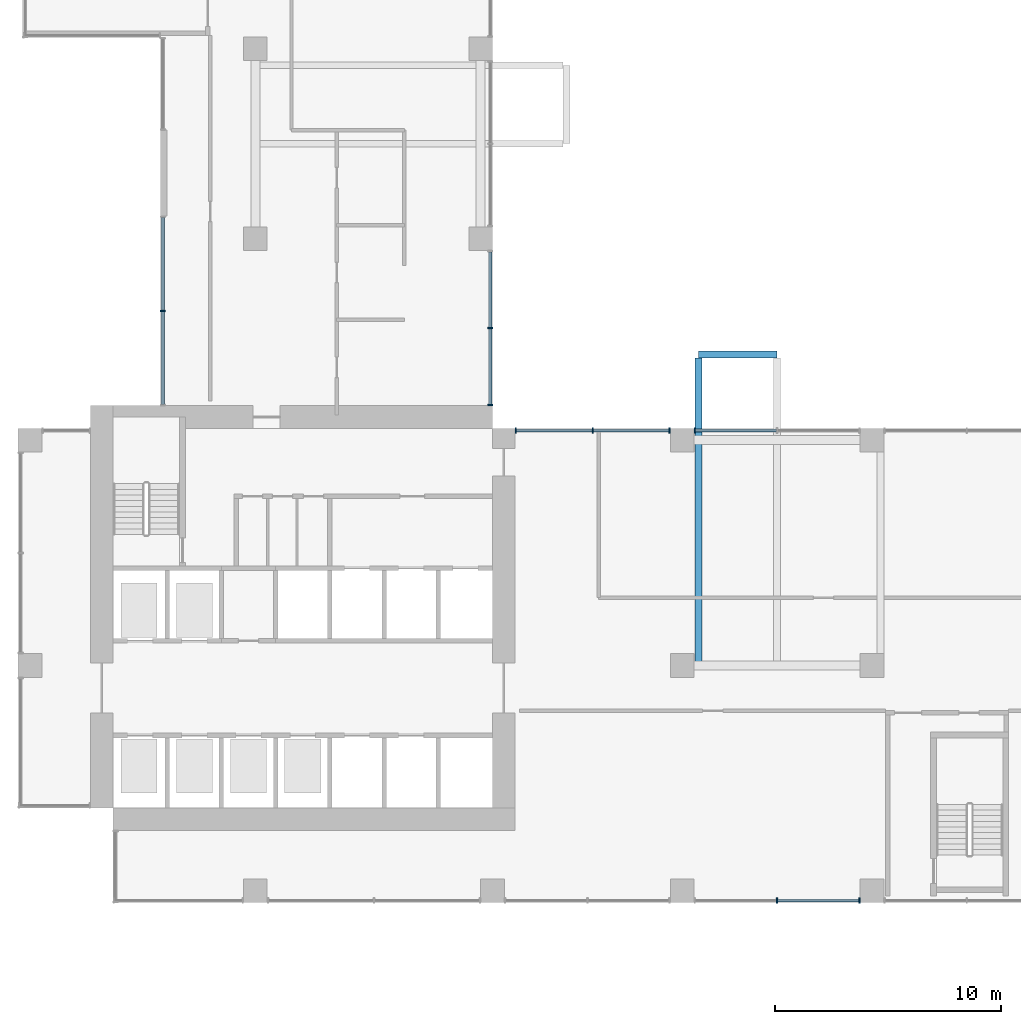
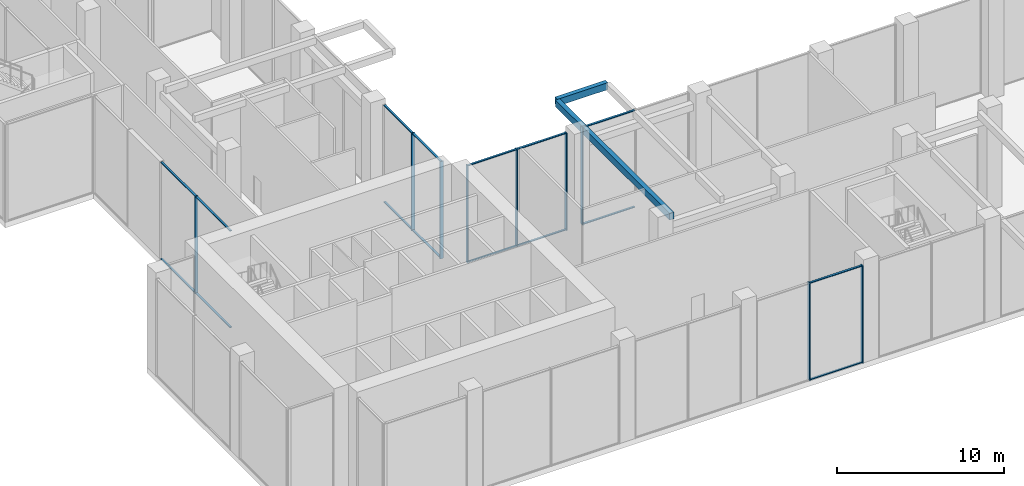
# One storey, part 3 of 18: 25 members, 2 beams, 5 elements without a shape of their own.
"""IFC4 building model written with IfcOpenShell, lengths in metres."""

from ifc_helpers import new_model, si_unit, direction, frame, origin, origin_2d, place, context, subcontext, project, spatial, rectangle, extrude, source, transform, mapped, material, layer, layer_set, material_profile, profile_set, type_object, element, aggregate, save


model = new_model("IFC4")

# Units and contexts
model_context = context("Model", 3, precision=1e-05, world=origin(), true_north=direction((0.0, 1.0)))
body_context = subcontext(model_context, "Body", "Model", "MODEL_VIEW")
ifc_project = project(units=[si_unit("LENGTHUNIT", "METRE"), si_unit("AREAUNIT", "SQUARE_METRE"), si_unit("VOLUMEUNIT", "CUBIC_METRE"), si_unit("PLANEANGLEUNIT", "RADIAN"), si_unit("MASSUNIT", "GRAM", prefix="KILO")], contexts=[model_context])

# Site, building, storey
site_placement = place(None, origin())
site = spatial("IfcSite", under=ifc_project, at=site_placement, CompositionType="ELEMENT")
building_placement = place(site_placement, origin())
building = spatial("IfcBuilding", under=site, at=building_placement, Name="Aurelian Terraces", CompositionType="ELEMENT")
storey_placement = place(building_placement, frame((0.0, 0.0, 170.3)))
storey = spatial("IfcBuildingStorey", under=building, at=storey_placement, Name="L37", CompositionType="ELEMENT", Elevation=170.3)

# Curtain wall, member
ifc_material_1 = material(Name="Anodised aluminium and clear glazing", Category="aluminium")
ifc_layer = layer(ifc_material_1, 0.2)
ifc_layer_set = layer_set([ifc_layer], Name="Lobby glazing curtain wall")
curtain_wall_type = type_object("IfcCurtainWallType", Name="Lobby glazing curtain wall", PredefinedType="NOTDEFINED", material=ifc_layer_set)
curtain_wall_1_placement = place(storey_placement, origin())
curtain_wall_1 = element("IfcCurtainWall", 1, at=curtain_wall_1_placement, inside=storey, type_object=curtain_wall_type, Name="Lobby glazing L37 F09.7", PredefinedType="NOTDEFINED")
ifc_material_2 = material(Name="Anodised aluminium", Category="aluminium")
ifc_material_profile_1 = material_profile(ifc_material_2, rectangle(XDim=0.14, YDim=0.06, at=origin_2d()))
ifc_profile_set_1 = profile_set([ifc_material_profile_1], Name="Anodised aluminium")
member_type_1 = type_object("IfcMemberType", Name="Lobby glazing transom", PredefinedType="USERDEFINED", material=ifc_profile_set_1)
member_1_placement = place(storey_placement, frame((28.815, 20.9, 0.03), z_axis=(-1.0, 0.0, 0.0), x_axis=(0.0, -1.0, 0.0)))
member_1 = element("IfcMember", 2, at=member_1_placement, type_object=member_type_1, Name="CW2 transom 1.1", ObjectType="TRANSOM", PredefinedType="USERDEFINED", context=body_context, shape_type="SweptSolid", body=[
    extrude(rectangle(XDim=0.14, YDim=0.06, at=origin_2d()), origin(), (0.0, 0.0, 1.0), 3.3475),
])

curtain_wall_2_placement = place(storey_placement, origin())
curtain_wall_2 = element("IfcCurtainWall", 3, at=curtain_wall_2_placement, inside=storey, type_object=curtain_wall_type, Name="Lobby glazing L37 F18.3", PredefinedType="NOTDEFINED")
member_2_placement = place(storey_placement, frame((6.4, 30.34, 0.03), z_axis=(0.0, -1.0, 0.0), x_axis=(1.0, 0.0, 0.0)))
member_2 = element("IfcMember", 4, at=member_2_placement, type_object=member_type_1, Name="CW2 transom 1.1", ObjectType="TRANSOM", PredefinedType="USERDEFINED", context=body_context, shape_type="SweptSolid", body=[
    extrude(rectangle(XDim=0.14, YDim=0.06, at=origin_2d()), origin(), (0.0, 0.0, 1.0), 4.11),
])

# Beams
ifc_material_3 = material(Name="Concrete fc' 40 MPa", Category="concrete")
ifc_material_profile_2 = material_profile(ifc_material_3, rectangle(XDim=0.3, YDim=0.5, at=origin_2d()))
ifc_profile_set_2 = profile_set([ifc_material_profile_2], Name="Concrete fc' 40 MPa")
beam_type = type_object("IfcBeamType", Name="CONCRETE CANTILEVER BEAM 300X500", PredefinedType="BEAM", material=ifc_profile_set_2)
shared_shape_1 = source(origin(), body_context, "Body", "SweptSolid", [
    extrude(rectangle(XDim=0.3, YDim=0.5, at=origin_2d()), origin(), (0.0, 0.0, 1.0), 13.625),
])
beam_1_placement = place(storey_placement, frame((30.125, 24.125, 6.85), z_axis=(0.0, -1.0, 0.0), x_axis=(1.0, 0.0, 0.0)))
element("IfcBeam", 5, at=beam_1_placement, inside=storey, type_object=beam_type, Name="Box cantilever beam J52.1", PredefinedType="BEAM", context=body_context, shape_type="MappedRepresentation", body=[
    mapped(shared_shape_1, transform((0.0, 0.0, 0.0), scale=1.0)),
])
shared_shape_2 = source(origin(), body_context, "Body", "SweptSolid", [
    extrude(rectangle(XDim=0.3, YDim=0.5, at=origin_2d()), origin(), (0.0, 0.0, 1.0), 3.475),
])
beam_2_placement = place(storey_placement, frame((30.125, 24.275, 6.85), z_axis=(1.0, 0.0, 0.0), x_axis=(0.0, 1.0, 0.0)))
element("IfcBeam", 6, at=beam_2_placement, inside=storey, type_object=beam_type, Name="Box tip beam J52", PredefinedType="BEAM", context=body_context, shape_type="MappedRepresentation", body=[
    mapped(shared_shape_2, transform((0.0, 0.0, 0.0), scale=1.0)),
])

# Curtain wall, members
curtain_wall_3_placement = place(storey_placement, origin())
curtain_wall_3 = element("IfcCurtainWall", 7, at=curtain_wall_3_placement, inside=storey, type_object=curtain_wall_type, Name="Lobby glazing L37 F01.4", PredefinedType="NOTDEFINED")
ifc_material_profile_3 = material_profile(ifc_material_2, rectangle(XDim=0.24, YDim=0.06, at=origin_2d()))
ifc_profile_set_3 = profile_set([ifc_material_profile_3], Name="Anodised aluminium")
member_type_2 = type_object("IfcMemberType", Name="Lobby glazing mullion", PredefinedType="MULLION", material=ifc_profile_set_3)
shared_shape_3 = source(origin(), body_context, "Body", "SweptSolid", [
    extrude(rectangle(XDim=0.24, YDim=0.06, at=origin_2d()), origin(), (0.0, 0.0, 1.0), 7.1),
])
member_3_placement = place(storey_placement, frame((33.6, 0.1, 0.0), z_axis=(0.0, 0.0, 1.0), x_axis=(0.0, 1.0, 0.0)))
member_3 = element("IfcMember", 8, at=member_3_placement, type_object=member_type_2, Name="CW2 mullion 2", PredefinedType="MULLION", context=body_context, shape_type="MappedRepresentation", body=[
    mapped(shared_shape_3, transform((0.0, 0.0, 0.0), scale=1.0)),
])
member_4_placement = place(storey_placement, frame((37.245, 0.1, 0.0), z_axis=(0.0, 0.0, 1.0), x_axis=(0.0, 1.0, 0.0)))
member_4 = element("IfcMember", 9, at=member_4_placement, type_object=member_type_2, Name="CW2 mullion 3", PredefinedType="MULLION", context=body_context, shape_type="MappedRepresentation", body=[
    mapped(shared_shape_3, transform((0.0, 0.0, 0.0), scale=1.0)),
])

# Curtain wall, member
curtain_wall_4_placement = place(storey_placement, origin())
curtain_wall_4 = element("IfcCurtainWall", 10, at=curtain_wall_4_placement, inside=storey, type_object=curtain_wall_type, Name="Lobby glazing L37 F09.6", PredefinedType="NOTDEFINED")
member_5_placement = place(storey_placement, frame((29.955, 20.9, 0.0), z_axis=(0.0, 0.0, 1.0), x_axis=(0.0, -1.0, 0.0)))
member_5 = element("IfcMember", 11, at=member_5_placement, type_object=member_type_2, Name="CW2 mullion 3", PredefinedType="MULLION", context=body_context, shape_type="MappedRepresentation", body=[
    mapped(shared_shape_3, transform((0.0, 0.0, 0.0), scale=1.0)),
])

# Member
member_6_placement = place(storey_placement, frame((28.845, 20.9, 0.0), z_axis=(0.0, 0.0, 1.0), x_axis=(0.0, -1.0, 0.0)))
member_6 = element("IfcMember", 12, at=member_6_placement, type_object=member_type_2, Name="CW2 mullion 1", PredefinedType="MULLION", context=body_context, shape_type="MappedRepresentation", body=[
    mapped(shared_shape_3, transform((0.0, 0.0, 0.0), scale=1.0)),
])

member_7_placement = place(storey_placement, frame((25.4375, 20.9, 0.0), z_axis=(0.0, 0.0, 1.0), x_axis=(0.0, -1.0, 0.0)))
member_7 = element("IfcMember", 13, at=member_7_placement, type_object=member_type_2, Name="CW2 mullion 2", PredefinedType="MULLION", context=body_context, shape_type="MappedRepresentation", body=[
    mapped(shared_shape_3, transform((0.0, 0.0, 0.0), scale=1.0)),
])

member_8_placement = place(storey_placement, frame((22.03, 20.9, 0.0), z_axis=(0.0, 0.0, 1.0), x_axis=(0.0, -1.0, 0.0)))
member_8 = element("IfcMember", 14, at=member_8_placement, type_object=member_type_2, Name="CW2 mullion 3", PredefinedType="MULLION", context=body_context, shape_type="MappedRepresentation", body=[
    mapped(shared_shape_3, transform((0.0, 0.0, 0.0), scale=1.0)),
])

# Curtain wall, members
curtain_wall_5_placement = place(storey_placement, origin())
curtain_wall_5 = element("IfcCurtainWall", 15, at=curtain_wall_5_placement, inside=storey, type_object=curtain_wall_type, Name="Lobby glazing L37 F10.1", PredefinedType="NOTDEFINED")
member_9_placement = place(storey_placement, frame((20.9, 22.03, 0.0), z_axis=(0.0, 0.0, 1.0), x_axis=(-1.0, 0.0, 0.0)))
member_9 = element("IfcMember", 16, at=member_9_placement, type_object=member_type_2, Name="CW2 mullion 1", PredefinedType="MULLION", context=body_context, shape_type="MappedRepresentation", body=[
    mapped(shared_shape_3, transform((0.0, 0.0, 0.0), scale=1.0)),
])
member_10_placement = place(storey_placement, frame((20.9, 25.4375, 0.0), z_axis=(0.0, 0.0, 1.0), x_axis=(-1.0, 0.0, 0.0)))
member_10 = element("IfcMember", 17, at=member_10_placement, type_object=member_type_2, Name="CW2 mullion 2", PredefinedType="MULLION", context=body_context, shape_type="MappedRepresentation", body=[
    mapped(shared_shape_3, transform((0.0, 0.0, 0.0), scale=1.0)),
])

# Member
member_11_placement = place(storey_placement, frame((6.4, 26.2, 0.0), z_axis=(0.0, 0.0, 1.0), x_axis=(1.0, 0.0, 0.0)))
member_11 = element("IfcMember", 18, at=member_11_placement, type_object=member_type_2, Name="CW2 mullion 2", PredefinedType="MULLION", context=body_context, shape_type="MappedRepresentation", body=[
    mapped(shared_shape_3, transform((0.0, 0.0, 0.0), scale=1.0)),
])

shared_shape_4 = source(origin(), body_context, "Body", "SweptSolid", [
    extrude(rectangle(XDim=0.14, YDim=0.06, at=origin_2d()), origin(), (0.0, 0.0, 1.0), 3.585),
])
member_12_placement = place(storey_placement, frame((33.63, 0.1, 0.03), z_axis=(1.0, 0.0, 0.0), x_axis=(0.0, 1.0, 0.0)))
member_12 = element("IfcMember", 19, at=member_12_placement, type_object=member_type_1, Name="CW2 transom 2.1", ObjectType="TRANSOM", PredefinedType="USERDEFINED", context=body_context, shape_type="MappedRepresentation", body=[
    mapped(shared_shape_4, transform((0.0, 0.0, 0.0), scale=1.0)),
])

member_13_placement = place(storey_placement, frame((33.63, 0.1, 7.07), z_axis=(1.0, 0.0, 0.0), x_axis=(0.0, 1.0, 0.0)))
member_13 = element("IfcMember", 20, at=member_13_placement, type_object=member_type_1, Name="CW2 transom 2.2", ObjectType="TRANSOM", PredefinedType="USERDEFINED", context=body_context, shape_type="MappedRepresentation", body=[
    mapped(shared_shape_4, transform((0.0, 0.0, 0.0), scale=1.0)),
])

aggregate(curtain_wall_3, [member_3, member_4, member_12, member_13])

member_14_placement = place(storey_placement, frame((33.57, 20.9, 0.03), z_axis=(-1.0, 0.0, 0.0), x_axis=(0.0, -1.0, 0.0)))
member_14 = element("IfcMember", 21, at=member_14_placement, type_object=member_type_1, Name="CW2 transom 2.1", ObjectType="TRANSOM", PredefinedType="USERDEFINED", context=body_context, shape_type="MappedRepresentation", body=[
    mapped(shared_shape_4, transform((0.0, 0.0, 0.0), scale=1.0)),
])

member_15_placement = place(storey_placement, frame((33.57, 20.9, 7.07), z_axis=(-1.0, 0.0, 0.0), x_axis=(0.0, -1.0, 0.0)))
member_15 = element("IfcMember", 22, at=member_15_placement, type_object=member_type_1, Name="CW2 transom 2.2", ObjectType="TRANSOM", PredefinedType="USERDEFINED", context=body_context, shape_type="MappedRepresentation", body=[
    mapped(shared_shape_4, transform((0.0, 0.0, 0.0), scale=1.0)),
])

aggregate(curtain_wall_4, [member_5, member_14, member_15])

shared_shape_5 = source(origin(), body_context, "Body", "SweptSolid", [
    extrude(rectangle(XDim=0.14, YDim=0.06, at=origin_2d()), origin(), (0.0, 0.0, 1.0), 3.3475),
])
member_16_placement = place(storey_placement, frame((28.815, 20.9, 7.07), z_axis=(-1.0, 0.0, 0.0), x_axis=(0.0, -1.0, 0.0)))
member_16 = element("IfcMember", 23, at=member_16_placement, type_object=member_type_1, Name="CW2 transom 1.2", ObjectType="TRANSOM", PredefinedType="USERDEFINED", context=body_context, shape_type="MappedRepresentation", body=[
    mapped(shared_shape_5, transform((0.0, 0.0, 0.0), scale=1.0)),
])

member_17_placement = place(storey_placement, frame((25.4075, 20.9, 0.03), z_axis=(-1.0, 0.0, 0.0), x_axis=(0.0, -1.0, 0.0)))
member_17 = element("IfcMember", 24, at=member_17_placement, type_object=member_type_1, Name="CW2 transom 2.1", ObjectType="TRANSOM", PredefinedType="USERDEFINED", context=body_context, shape_type="MappedRepresentation", body=[
    mapped(shared_shape_5, transform((0.0, 0.0, 0.0), scale=1.0)),
])

member_18_placement = place(storey_placement, frame((25.4075, 20.9, 7.07), z_axis=(-1.0, 0.0, 0.0), x_axis=(0.0, -1.0, 0.0)))
member_18 = element("IfcMember", 25, at=member_18_placement, type_object=member_type_1, Name="CW2 transom 2.2", ObjectType="TRANSOM", PredefinedType="USERDEFINED", context=body_context, shape_type="MappedRepresentation", body=[
    mapped(shared_shape_5, transform((0.0, 0.0, 0.0), scale=1.0)),
])

aggregate(curtain_wall_1, [member_6, member_7, member_8, member_1, member_16, member_17, member_18])

member_19_placement = place(storey_placement, frame((20.9, 22.06, 0.03), z_axis=(0.0, 1.0, 0.0), x_axis=(-1.0, 0.0, 0.0)))
member_19 = element("IfcMember", 26, at=member_19_placement, type_object=member_type_1, Name="CW2 transom 1.1", ObjectType="TRANSOM", PredefinedType="USERDEFINED", context=body_context, shape_type="MappedRepresentation", body=[
    mapped(shared_shape_5, transform((0.0, 0.0, 0.0), scale=1.0)),
])

member_20_placement = place(storey_placement, frame((20.9, 22.06, 7.07), z_axis=(0.0, 1.0, 0.0), x_axis=(-1.0, 0.0, 0.0)))
member_20 = element("IfcMember", 27, at=member_20_placement, type_object=member_type_1, Name="CW2 transom 1.2", ObjectType="TRANSOM", PredefinedType="USERDEFINED", context=body_context, shape_type="MappedRepresentation", body=[
    mapped(shared_shape_5, transform((0.0, 0.0, 0.0), scale=1.0)),
])

member_21_placement = place(storey_placement, frame((20.9, 25.4675, 0.03), z_axis=(0.0, 1.0, 0.0), x_axis=(-1.0, 0.0, 0.0)))
member_21 = element("IfcMember", 28, at=member_21_placement, type_object=member_type_1, Name="CW2 transom 2.1", ObjectType="TRANSOM", PredefinedType="USERDEFINED", context=body_context, shape_type="MappedRepresentation", body=[
    mapped(shared_shape_5, transform((0.0, 0.0, 0.0), scale=1.0)),
])

member_22_placement = place(storey_placement, frame((20.9, 25.4675, 7.07), z_axis=(0.0, 1.0, 0.0), x_axis=(-1.0, 0.0, 0.0)))
member_22 = element("IfcMember", 29, at=member_22_placement, type_object=member_type_1, Name="CW2 transom 2.2", ObjectType="TRANSOM", PredefinedType="USERDEFINED", context=body_context, shape_type="MappedRepresentation", body=[
    mapped(shared_shape_5, transform((0.0, 0.0, 0.0), scale=1.0)),
])

aggregate(curtain_wall_5, [member_9, member_10, member_19, member_20, member_21, member_22])

shared_shape_6 = source(origin(), body_context, "Body", "SweptSolid", [
    extrude(rectangle(XDim=0.14, YDim=0.06, at=origin_2d()), origin(), (0.0, 0.0, 1.0), 4.11),
])
member_23_placement = place(storey_placement, frame((6.4, 30.34, 7.07), z_axis=(0.0, -1.0, 0.0), x_axis=(1.0, 0.0, 0.0)))
member_23 = element("IfcMember", 30, at=member_23_placement, type_object=member_type_1, Name="CW2 transom 1.2", ObjectType="TRANSOM", PredefinedType="USERDEFINED", context=body_context, shape_type="MappedRepresentation", body=[
    mapped(shared_shape_6, transform((0.0, 0.0, 0.0), scale=1.0)),
])

member_24_placement = place(storey_placement, frame((6.4, 26.17, 0.03), z_axis=(0.0, -1.0, 0.0), x_axis=(1.0, 0.0, 0.0)))
member_24 = element("IfcMember", 31, at=member_24_placement, type_object=member_type_1, Name="CW2 transom 2.1", ObjectType="TRANSOM", PredefinedType="USERDEFINED", context=body_context, shape_type="MappedRepresentation", body=[
    mapped(shared_shape_6, transform((0.0, 0.0, 0.0), scale=1.0)),
])

member_25_placement = place(storey_placement, frame((6.4, 26.17, 7.07), z_axis=(0.0, -1.0, 0.0), x_axis=(1.0, 0.0, 0.0)))
member_25 = element("IfcMember", 32, at=member_25_placement, type_object=member_type_1, Name="CW2 transom 2.2", ObjectType="TRANSOM", PredefinedType="USERDEFINED", context=body_context, shape_type="MappedRepresentation", body=[
    mapped(shared_shape_6, transform((0.0, 0.0, 0.0), scale=1.0)),
])

aggregate(curtain_wall_2, [member_11, member_2, member_23, member_24, member_25])

save(model, "model.ifc")
